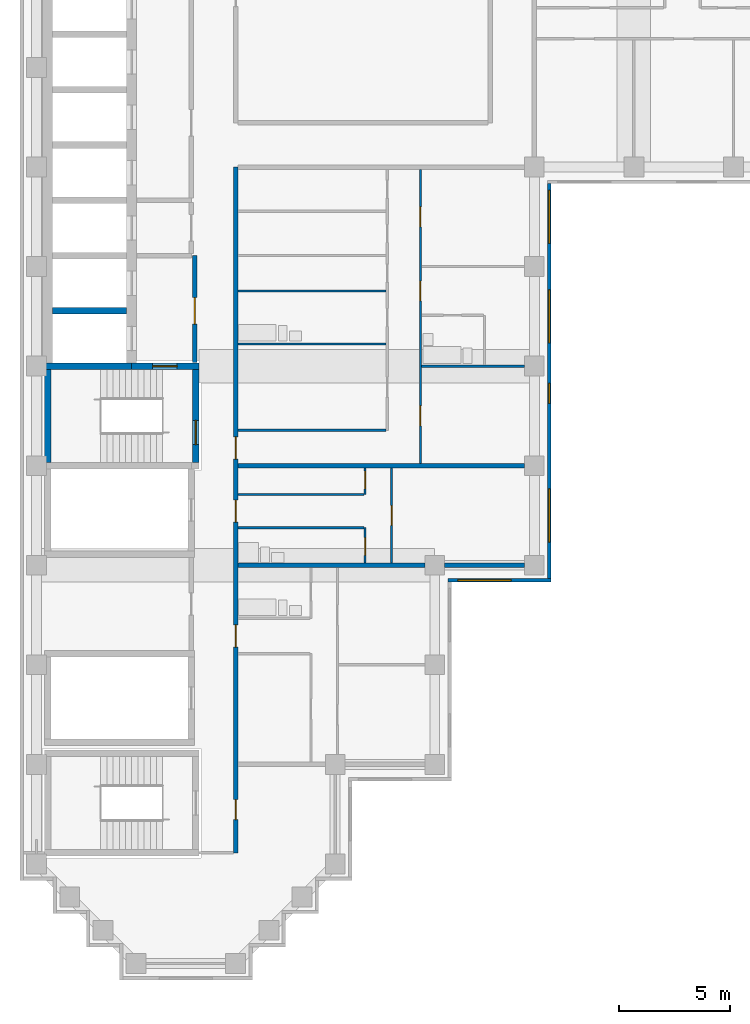
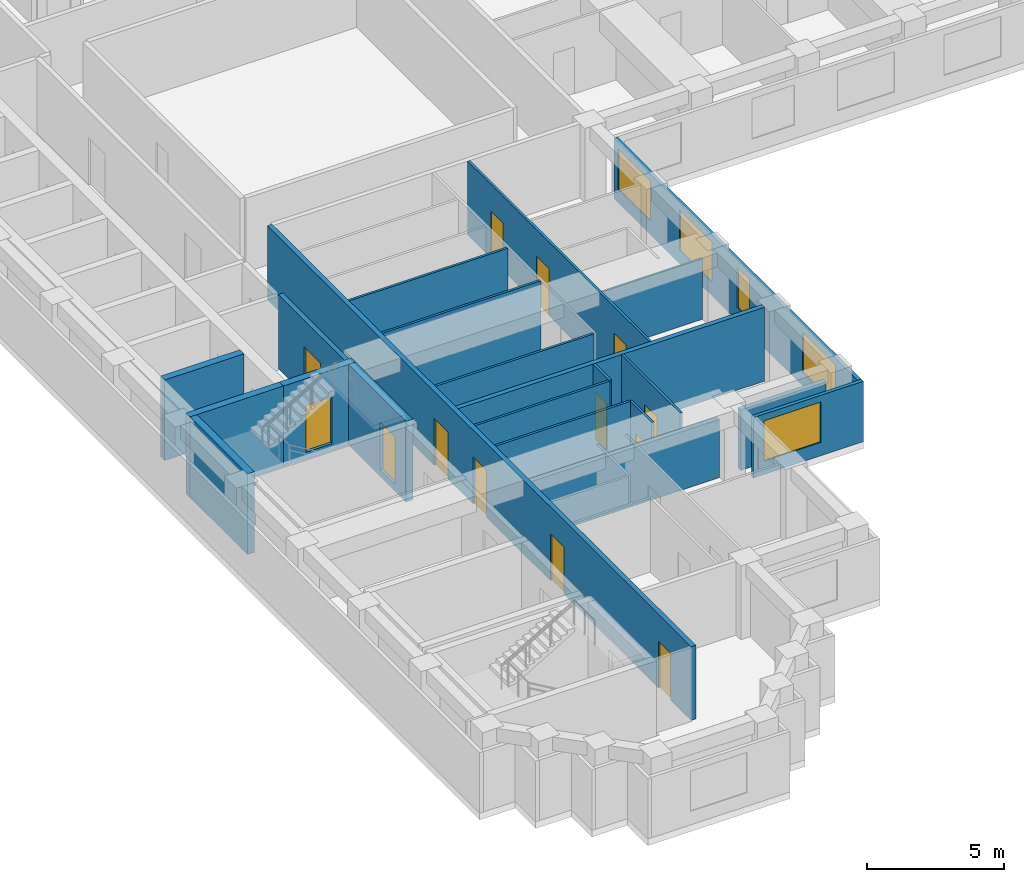
# One storey, part 3 of 10: 22 walls, 13 doors, 5 windows, 18 openings.
"""IFC4 building model written with IfcOpenShell, lengths in metres."""

from ifc_helpers import new_model, si_unit, direction, frame, frame_2d, origin, place, context, subcontext, project, spatial, rectangle, extrude, material, layer, layer_set, type_object, element, fill, save


model = new_model("IFC4")

# Units and contexts
model_context = context("Model", 3, precision=1e-05, world=origin(), true_north=direction((0.0, 1.0)))
body_context = subcontext(model_context, "Body", "Model", "MODEL_VIEW")
ifc_project = project(units=[si_unit("LENGTHUNIT", "METRE"), si_unit("AREAUNIT", "SQUARE_METRE"), si_unit("VOLUMEUNIT", "CUBIC_METRE"), si_unit("PLANEANGLEUNIT", "RADIAN"), si_unit("MASSUNIT", "GRAM", prefix="KILO")], contexts=[model_context])

# Site, building, storey
site_placement = place(None, origin())
site = spatial("IfcSite", under=ifc_project, at=site_placement, CompositionType="ELEMENT")
building_placement = place(site_placement, origin())
building = spatial("IfcBuilding", under=site, at=building_placement, Name="Firuza Court", CompositionType="ELEMENT")
storey_placement = place(building_placement, frame((0.0, 0.0, 193.39990234375)))
storey = spatial("IfcBuildingStorey", under=building, at=storey_placement, Name="L49", CompositionType="ELEMENT", Elevation=193.39990234375)

# Walls
ifc_material_1 = material(Name="Moisture-resistant gypsum board partition")
ifc_layer_1 = layer(ifc_material_1, 0.10009765625)
ifc_layer_set_1 = layer_set([ifc_layer_1], Name="Moisture-resistant gypsum board partition")
wall_type_1 = type_object("IfcWallType", Name="Bathroom partition 100", PredefinedType="PLUMBINGWALL", material=ifc_layer_set_1)
wall_1_placement = place(storey_placement, frame((9.10009765625, 19.699951171875, 0.0), z_axis=(0.0, 0.0, 1.0), x_axis=(1.0, 0.0, 0.0)))
element("IfcWall", 1, at=wall_1_placement, inside=storey, type_object=wall_type_1, Name="Bathroom partition 100 L49", PredefinedType="PLUMBINGWALL", context=body_context, shape_type="SweptSolid", body=[
    extrude(rectangle(XDim=5.699951171875, YDim=0.10009765625, at=frame_2d((2.85009765625, 0.0))), origin(), (0.0, 0.0, 1.0), 3.300048828125),
])
for number, where, z_axis, x_axis, name in (
    (2, (9.10009765625, 28.0, 0.0), (0.0, 0.0, 1.0), (1.0, 0.0, 0.0), "Bathroom partition 100 L49"),
    (3, (9.10009765625, 30.39990234375, 0.0), (0.0, 0.0, 1.0), (1.0, 0.0, 0.0), "Bathroom partition 100 L49"),
):
    element("IfcWall", number, at=place(storey_placement, frame(where, z_axis=z_axis, x_axis=x_axis)), inside=storey, type_object=wall_type_1, Name=name, PredefinedType="PLUMBINGWALL", context=body_context, shape_type="SweptSolid", body=[
        extrude(rectangle(XDim=6.699951171875, YDim=0.10009765625, at=frame_2d((3.35009765625, 0.0))), origin(), (0.0, 0.0, 1.0), 3.300048828125),
    ])
ifc_material_2 = material(Name="Concrete C50/60", Category="concrete")
ifc_layer_2 = layer(ifc_material_2, 0.300048828125)
ifc_layer_set_2 = layer_set([ifc_layer_2], Name="Concrete C50/60")
wall_type_2 = type_object("IfcWallType", Name="Core wall 300 C50/60", PredefinedType="SHEAR", material=ifc_layer_set_2)
wall_2_placement = place(storey_placement, frame((0.35009765625, 27.0, -0.2998046875), z_axis=(0.0, 0.0, 1.0), x_axis=(1.0, 0.0, 0.0)))
element("IfcWall", 4, at=wall_2_placement, inside=storey, type_object=wall_type_2, Name="Core wall lift shaft L49", PredefinedType="SHEAR", context=body_context, shape_type="SweptSolid", body=[
    extrude(rectangle(XDim=3.949951171875, YDim=0.300048828125, at=frame_2d((1.97509765625, 0.0))), origin(), (0.0, 0.0, 1.0), 3.599853515625),
])
wall_3_placement = place(storey_placement, frame((0.5, 22.64990234375, -0.2998046875), z_axis=(0.0, 0.0, 1.0), x_axis=(0.0, 1.0, 0.0)))
element("IfcWall", 5, at=wall_3_placement, inside=storey, type_object=wall_type_2, Name="Core wall stair L49", PredefinedType="SHEAR", context=body_context, shape_type="SweptSolid", body=[
    extrude(rectangle(XDim=4.2001953125, YDim=0.300048828125, at=frame_2d((2.10009765625, 0.0))), origin(), (0.0, 0.0, 1.0), 3.599853515625),
])
wall_4_placement = place(storey_placement, frame((0.72509765625, 29.5, -0.2998046875), z_axis=(0.0, 0.0, 1.0), x_axis=(1.0, 0.0, 0.0)))
element("IfcWall", 6, at=wall_4_placement, inside=storey, type_object=wall_type_2, Name="Core wall lift shaft L49", PredefinedType="SHEAR", context=body_context, shape_type="SweptSolid", body=[
    extrude(rectangle(XDim=3.349853515625, YDim=0.300048828125, at=frame_2d((1.6748046875, 0.0))), origin(), (0.0, 0.0, 1.0), 3.599853515625),
])

# Wall, opening, door
wall_5_placement = place(storey_placement, frame((4.300048828125, 27.0, -0.2998046875), z_axis=(0.0, 0.0, 1.0), x_axis=(1.0, 0.0, 0.0)))
wall_5 = element("IfcWall", 7, at=wall_5_placement, inside=storey, type_object=wall_type_2, Name="Core wall stair L49", PredefinedType="SHEAR", context=body_context, shape_type="SweptSolid", body=[
    extrude(rectangle(XDim=3.050048828125, YDim=0.300048828125, at=frame_2d((1.52490234375, 0.0))), origin(), (0.0, 0.0, 1.0), 3.599853515625),
])
opening_1_placement = place(wall_5_placement, frame((0.949951171875, 0.0, 0.300048828125)))
opening_1 = element("IfcOpeningElement", 8, at=opening_1_placement, cuts=wall_5, Name="Opening D49012", PredefinedType="OPENING", context=body_context, shape_type="SweptSolid", body=[
    extrude(rectangle(XDim=1.10009765625, YDim=2.10009765625, at=frame_2d((0.550048828125, 1.050048828125))), frame((0.0, 0.162109375, 0.0), z_axis=(0.0, -1.0, 0.0), x_axis=(1.0, 0.0, 0.0)), (0.0, 0.0, 1.0), 0.323974609375),
])
ifc_material_3 = material(Name="Timber door leaf in hardwood frame", Category="wood")
door_type_1 = type_object("IfcDoorType", Name="Stair door 1100", OperationType="SINGLE_SWING_LEFT", PredefinedType="DOOR", material=ifc_material_3)
door_1_placement = place(opening_1_placement, frame((1.10009765625, 0.0, 0.0), z_axis=(0.0, 0.0, 1.0), x_axis=(-1.0, 0.0, 0.0)))
door_1 = element("IfcDoor", 9, at=door_1_placement, inside=storey, type_object=door_type_1, Name="Fire-fighting lobby door", OperationType="SINGLE_SWING_LEFT", OverallHeight=2.10009765625, OverallWidth=1.10009765625, PredefinedType="DOOR", context=body_context, shape_type="SweptSolid", body=[
    extrude(rectangle(XDim=1.10009765625, YDim=2.10009765625, at=frame_2d((0.550048828125, 1.050048828125))), frame((0.0, 0.02490234375, 0.0), z_axis=(0.0, -1.0, 0.0), x_axis=(1.0, 0.0, 0.0)), (0.0, 0.0, 1.0), 0.050048828125),
])
fill(opening_1, door_1)

wall_6_placement = place(storey_placement, frame((7.199951171875, 22.64990234375, -0.2998046875), z_axis=(0.0, 0.0, 1.0), x_axis=(0.0, 1.0, 0.0)))
wall_6 = element("IfcWall", 10, at=wall_6_placement, inside=storey, type_object=wall_type_2, Name="Core wall stair L49", PredefinedType="SHEAR", context=body_context, shape_type="SweptSolid", body=[
    extrude(rectangle(XDim=4.2001953125, YDim=0.300048828125, at=frame_2d((2.10009765625, 0.0))), origin(), (0.0, 0.0, 1.0), 3.599853515625),
])
opening_2_placement = place(wall_6_placement, frame((0.800048828125, 0.0, 0.300048828125)))
opening_2 = element("IfcOpeningElement", 11, at=opening_2_placement, cuts=wall_6, Name="Opening D49013", PredefinedType="OPENING", context=body_context, shape_type="SweptSolid", body=[
    extrude(rectangle(XDim=1.10009765625, YDim=2.10009765625, at=frame_2d((0.550048828125, 1.050048828125))), frame((0.0, 0.162109375, 0.0), z_axis=(0.0, -1.0, 0.0), x_axis=(1.0, 0.0, 0.0)), (0.0, 0.0, 1.0), 0.323974609375),
])
door_2_placement = place(opening_2_placement, origin())
door_2 = element("IfcDoor", 12, at=door_2_placement, inside=storey, type_object=door_type_1, Name="Stair door S2", OperationType="SINGLE_SWING_LEFT", OverallHeight=2.10009765625, OverallWidth=1.10009765625, PredefinedType="DOOR", context=body_context, shape_type="SweptSolid", body=[
    extrude(rectangle(XDim=1.10009765625, YDim=2.10009765625, at=frame_2d((0.550048828125, 1.050048828125))), frame((0.0, 0.02490234375, 0.0), z_axis=(0.0, -1.0, 0.0), x_axis=(1.0, 0.0, 0.0)), (0.0, 0.0, 1.0), 0.050048828125),
])
fill(opening_2, door_2)

# Wall, openings, doors
ifc_material_4 = material(Name="Blockwork, plastered both sides", Category="masonry")
ifc_layer_3 = layer(ifc_material_4, 0.199951171875)
ifc_layer_set_3 = layer_set([ifc_layer_3], Name="Blockwork, plastered both sides")
wall_type_3 = type_object("IfcWallType", Name="Corridor wall 200", PredefinedType="PARTITIONING", material=ifc_layer_set_3)
wall_7_placement = place(storey_placement, frame((9.0, 5.0, 0.0), z_axis=(0.0, 0.0, 1.0), x_axis=(0.0, 1.0, 0.0)))
wall_7 = element("IfcWall", 13, at=wall_7_placement, inside=storey, type_object=wall_type_3, Name="Corridor wall 200 L49", PredefinedType="PARTITIONING", context=body_context, shape_type="SweptSolid", body=[
    extrude(rectangle(XDim=31.0, YDim=0.199951171875, at=frame_2d((15.5, 0.0))), origin(), (0.0, 0.0, 1.0), 3.300048828125),
])
opening_3_placement = place(wall_7_placement, frame((17.800048828125, 0.0, 0.0)))
opening_3 = element("IfcOpeningElement", 14, at=opening_3_placement, cuts=wall_7, Name="Opening D49016", PredefinedType="OPENING", context=body_context, shape_type="SweptSolid", body=[
    extrude(rectangle(XDim=1.0, YDim=2.10009765625, at=frame_2d((0.5, 1.050048828125))), frame((0.0, 0.11181640625, 0.0), z_axis=(0.0, -1.0, 0.0), x_axis=(1.0, 0.0, 0.0)), (0.0, 0.0, 1.0), 0.223876953125),
])
opening_4_placement = place(wall_7_placement, frame((14.949951171875, 0.0, 0.0)))
opening_4 = element("IfcOpeningElement", 15, at=opening_4_placement, cuts=wall_7, Name="Opening D49017", PredefinedType="OPENING", context=body_context, shape_type="SweptSolid", body=[
    extrude(rectangle(XDim=1.0, YDim=2.10009765625, at=frame_2d((0.5, 1.050048828125))), frame((0.0, 0.11181640625, 0.0), z_axis=(0.0, -1.0, 0.0), x_axis=(1.0, 0.0, 0.0)), (0.0, 0.0, 1.0), 0.223876953125),
])
opening_5_placement = place(wall_7_placement, frame((9.300048828125, 0.0, 0.0)))
opening_5 = element("IfcOpeningElement", 16, at=opening_5_placement, cuts=wall_7, Name="Opening D49018", PredefinedType="OPENING", context=body_context, shape_type="SweptSolid", body=[
    extrude(rectangle(XDim=1.0, YDim=2.10009765625, at=frame_2d((0.5, 1.050048828125))), frame((0.0, 0.11181640625, 0.0), z_axis=(0.0, -1.0, 0.0), x_axis=(1.0, 0.0, 0.0)), (0.0, 0.0, 1.0), 0.223876953125),
])
opening_6_placement = place(wall_7_placement, frame((1.5, 0.0, 0.0)))
opening_6 = element("IfcOpeningElement", 17, at=opening_6_placement, cuts=wall_7, Name="Opening D49019", PredefinedType="OPENING", context=body_context, shape_type="SweptSolid", body=[
    extrude(rectangle(XDim=0.89990234375, YDim=2.10009765625, at=frame_2d((0.449951171875, 1.050048828125))), frame((0.0, 0.11181640625, 0.0), z_axis=(0.0, -1.0, 0.0), x_axis=(1.0, 0.0, 0.0)), (0.0, 0.0, 1.0), 0.223876953125),
])
ifc_material_5 = material(Name="Timber door leaf in hardwood frame", Category="wood")
door_type_2 = type_object("IfcDoorType", Name="Flat entrance door 1000", OperationType="SINGLE_SWING_LEFT", PredefinedType="DOOR", material=ifc_material_5)
door_3_placement = place(opening_3_placement, origin())
door_3 = element("IfcDoor", 18, at=door_3_placement, inside=storey, type_object=door_type_2, Name="Flat entrance door", OperationType="SINGLE_SWING_LEFT", OverallHeight=2.10009765625, OverallWidth=1.0, PredefinedType="DOOR", context=body_context, shape_type="SweptSolid", body=[
    extrude(rectangle(XDim=1.0, YDim=2.10009765625, at=frame_2d((0.5, 1.050048828125))), frame((0.0, 0.02490234375, 0.0), z_axis=(0.0, -1.0, 0.0), x_axis=(1.0, 0.0, 0.0)), (0.0, 0.0, 1.0), 0.050048828125),
])
fill(opening_3, door_3)
door_4_placement = place(opening_4_placement, origin())
door_4 = element("IfcDoor", 19, at=door_4_placement, inside=storey, type_object=door_type_2, Name="Flat entrance door", OperationType="SINGLE_SWING_LEFT", OverallHeight=2.10009765625, OverallWidth=1.0, PredefinedType="DOOR", context=body_context, shape_type="SweptSolid", body=[
    extrude(rectangle(XDim=1.0, YDim=2.10009765625, at=frame_2d((0.5, 1.050048828125))), frame((0.0, 0.02490234375, 0.0), z_axis=(0.0, -1.0, 0.0), x_axis=(1.0, 0.0, 0.0)), (0.0, 0.0, 1.0), 0.050048828125),
])
fill(opening_4, door_4)
door_5_placement = place(opening_5_placement, origin())
door_5 = element("IfcDoor", 20, at=door_5_placement, inside=storey, type_object=door_type_2, Name="Flat entrance door", OperationType="SINGLE_SWING_LEFT", OverallHeight=2.10009765625, OverallWidth=1.0, PredefinedType="DOOR", context=body_context, shape_type="SweptSolid", body=[
    extrude(rectangle(XDim=1.0, YDim=2.10009765625, at=frame_2d((0.5, 1.050048828125))), frame((0.0, 0.02490234375, 0.0), z_axis=(0.0, -1.0, 0.0), x_axis=(1.0, 0.0, 0.0)), (0.0, 0.0, 1.0), 0.050048828125),
])
fill(opening_5, door_5)
ifc_material_6 = material(Name="Timber door leaf in hardwood frame", Category="wood")
door_type_3 = type_object("IfcDoorType", Name="Room door 900 EI 30", OperationType="SINGLE_SWING_LEFT", PredefinedType="DOOR", material=ifc_material_6)
door_6_placement = place(opening_6_placement, frame((0.89990234375, 0.0, 0.0), z_axis=(0.0, 0.0, 1.0), x_axis=(-1.0, 0.0, 0.0)))
door_6 = element("IfcDoor", 21, at=door_6_placement, inside=storey, type_object=door_type_3, Name="Library door", OperationType="SINGLE_SWING_LEFT", OverallHeight=2.10009765625, OverallWidth=0.89990234375, PredefinedType="DOOR", context=body_context, shape_type="SweptSolid", body=[
    extrude(rectangle(XDim=0.89990234375, YDim=2.10009765625, at=frame_2d((0.449951171875, 1.050048828125))), frame((0.0, 0.02490234375, 0.0), z_axis=(0.0, -1.0, 0.0), x_axis=(1.0, 0.0, 0.0)), (0.0, 0.0, 1.0), 0.050048828125),
])
fill(opening_6, door_6)

# Wall, opening, door
ifc_material_7 = material(Name="Timber stud partition, plasterboard both sides", Category="wood")
ifc_layer_4 = layer(ifc_material_7, 0.10009765625)
ifc_layer_set_4 = layer_set([ifc_layer_4], Name="Timber stud partition, plasterboard both sides")
wall_type_4 = type_object("IfcWallType", Name="Partition wall 100", PredefinedType="PARTITIONING", material=ifc_layer_set_4)
wall_8_placement = place(storey_placement, frame((14.85009765625, 18.10009765625, 0.0), z_axis=(0.0, 0.0, 1.0), x_axis=(0.0, 1.0, 0.0)))
wall_8 = element("IfcWall", 22, at=wall_8_placement, inside=storey, type_object=wall_type_4, Name="Partition wall 100 L49", PredefinedType="PARTITIONING", context=body_context, shape_type="SweptSolid", body=[
    extrude(rectangle(XDim=1.599853515625, YDim=0.10009765625, at=frame_2d((0.7998046875, 0.0))), origin(), (0.0, 0.0, 1.0), 3.300048828125),
])
opening_7_placement = place(wall_8_placement, frame((0.35009765625, 0.0, 0.0)))
opening_7 = element("IfcOpeningElement", 23, at=opening_7_placement, cuts=wall_8, Name="Opening D49025", PredefinedType="OPENING", context=body_context, shape_type="SweptSolid", body=[
    extrude(rectangle(XDim=0.800048828125, YDim=2.10009765625, at=frame_2d((0.39990234375, 1.050048828125))), frame((0.0, 0.06201171875, 0.0), z_axis=(0.0, -1.0, 0.0), x_axis=(1.0, 0.0, 0.0)), (0.0, 0.0, 1.0), 0.1240234375),
])
ifc_material_8 = material(Name="Timber door leaf in hardwood frame", Category="wood")
door_type_4 = type_object("IfcDoorType", Name="Bathroom door 800", OperationType="SINGLE_SWING_LEFT", PredefinedType="DOOR", material=ifc_material_8)
door_7_placement = place(opening_7_placement, origin())
door_7 = element("IfcDoor", 24, at=door_7_placement, inside=storey, type_object=door_type_4, Name="Bathroom door", OperationType="SINGLE_SWING_LEFT", OverallHeight=2.10009765625, OverallWidth=0.800048828125, PredefinedType="DOOR", context=body_context, shape_type="SweptSolid", body=[
    extrude(rectangle(XDim=0.800048828125, YDim=2.10009765625, at=frame_2d((0.39990234375, 1.050048828125))), frame((0.0, 0.02490234375, 0.0), z_axis=(0.0, -1.0, 0.0), x_axis=(1.0, 0.0, 0.0)), (0.0, 0.0, 1.0), 0.050048828125),
])
fill(opening_7, door_7)

wall_9_placement = place(storey_placement, frame((16.050048828125, 18.10009765625, 0.0), z_axis=(0.0, 0.0, 1.0), x_axis=(0.0, 1.0, 0.0)))
wall_9 = element("IfcWall", 25, at=wall_9_placement, inside=storey, type_object=wall_type_4, Name="Partition wall 100 L49", PredefinedType="PARTITIONING", context=body_context, shape_type="SweptSolid", body=[
    extrude(rectangle(XDim=4.2998046875, YDim=0.10009765625, at=frame_2d((2.14990234375, 0.0))), origin(), (0.0, 0.0, 1.0), 3.300048828125),
])
opening_8_placement = place(wall_9_placement, frame((1.699951171875, 0.0, 0.0)))
opening_8 = element("IfcOpeningElement", 26, at=opening_8_placement, cuts=wall_9, Name="Opening D49026", PredefinedType="OPENING", context=body_context, shape_type="SweptSolid", body=[
    extrude(rectangle(XDim=0.89990234375, YDim=2.10009765625, at=frame_2d((0.449951171875, 1.050048828125))), frame((0.0, 0.06201171875, 0.0), z_axis=(0.0, -1.0, 0.0), x_axis=(1.0, 0.0, 0.0)), (0.0, 0.0, 1.0), 0.1240234375),
])
ifc_material_9 = material(Name="Timber door leaf in hardwood frame", Category="wood")
door_type_5 = type_object("IfcDoorType", Name="Room door 900", OperationType="SINGLE_SWING_LEFT", PredefinedType="DOOR", material=ifc_material_9)
door_8_placement = place(opening_8_placement, frame((0.89990234375, 0.0, 0.0), z_axis=(0.0, 0.0, 1.0), x_axis=(-1.0, 0.0, 0.0)))
door_8 = element("IfcDoor", 27, at=door_8_placement, inside=storey, type_object=door_type_5, Name="Studio room door", OperationType="SINGLE_SWING_RIGHT", OverallHeight=2.10009765625, OverallWidth=0.89990234375, PredefinedType="DOOR", context=body_context, shape_type="SweptSolid", body=[
    extrude(rectangle(XDim=0.89990234375, YDim=2.10009765625, at=frame_2d((0.449951171875, 1.050048828125))), frame((0.0, 0.02490234375, 0.0), z_axis=(0.0, -1.0, 0.0), x_axis=(1.0, 0.0, 0.0)), (0.0, 0.0, 1.0), 0.050048828125),
])
fill(opening_8, door_8)

# Wall
wall_10_placement = place(storey_placement, frame((9.10009765625, 21.199951171875, 0.0), z_axis=(0.0, 0.0, 1.0), x_axis=(1.0, 0.0, 0.0)))
element("IfcWall", 28, at=wall_10_placement, inside=storey, type_object=wall_type_4, Name="Partition wall 100 L49", PredefinedType="PARTITIONING", context=body_context, shape_type="SweptSolid", body=[
    extrude(rectangle(XDim=5.699951171875, YDim=0.10009765625, at=frame_2d((2.85009765625, 0.0))), origin(), (0.0, 0.0, 1.0), 3.300048828125),
])

# Wall, opening, door
wall_11_placement = place(storey_placement, frame((14.85009765625, 21.199951171875, 0.0), z_axis=(0.0, 0.0, 1.0), x_axis=(0.0, 1.0, 0.0)))
wall_11 = element("IfcWall", 29, at=wall_11_placement, inside=storey, type_object=wall_type_4, Name="Partition wall 100 L49", PredefinedType="PARTITIONING", context=body_context, shape_type="SweptSolid", body=[
    extrude(rectangle(XDim=1.199951171875, YDim=0.10009765625, at=frame_2d((0.60009765625, 0.0))), origin(), (0.0, 0.0, 1.0), 3.300048828125),
])
opening_9_placement = place(wall_11_placement, frame((0.25, 0.0, 0.0)))
opening_9 = element("IfcOpeningElement", 30, at=opening_9_placement, cuts=wall_11, Name="Opening D49027", PredefinedType="OPENING", context=body_context, shape_type="SweptSolid", body=[
    extrude(rectangle(XDim=0.800048828125, YDim=2.10009765625, at=frame_2d((0.39990234375, 1.050048828125))), frame((0.0, 0.06201171875, 0.0), z_axis=(0.0, -1.0, 0.0), x_axis=(1.0, 0.0, 0.0)), (0.0, 0.0, 1.0), 0.1240234375),
])
ifc_material_10 = material(Name="Timber door leaf in hardwood frame", Category="wood")
door_type_6 = type_object("IfcDoorType", Name="Room door 800", OperationType="SINGLE_SWING_LEFT", PredefinedType="DOOR", material=ifc_material_10)
door_9_placement = place(opening_9_placement, origin())
door_9 = element("IfcDoor", 31, at=door_9_placement, inside=storey, type_object=door_type_6, Name="Kitchen door", OperationType="SINGLE_SWING_LEFT", OverallHeight=2.10009765625, OverallWidth=0.800048828125, PredefinedType="DOOR", context=body_context, shape_type="SweptSolid", body=[
    extrude(rectangle(XDim=0.800048828125, YDim=2.10009765625, at=frame_2d((0.39990234375, 1.050048828125))), frame((0.0, 0.02490234375, 0.0), z_axis=(0.0, -1.0, 0.0), x_axis=(1.0, 0.0, 0.0)), (0.0, 0.0, 1.0), 0.050048828125),
])
fill(opening_9, door_9)

# Wall, openings, doors
wall_12_placement = place(storey_placement, frame((17.35009765625, 22.60009765625, 0.0), z_axis=(0.0, 0.0, 1.0), x_axis=(0.0, 1.0, 0.0)))
wall_12 = element("IfcWall", 32, at=wall_12_placement, inside=storey, type_object=wall_type_4, Name="Partition wall 100 L49", PredefinedType="PARTITIONING", context=body_context, shape_type="SweptSolid", body=[
    extrude(rectangle(XDim=13.2998046875, YDim=0.10009765625, at=frame_2d((6.64990234375, 0.0))), origin(), (0.0, 0.0, 1.0), 3.300048828125),
])
opening_10_placement = place(wall_12_placement, frame((1.699951171875, 0.0, 0.0)))
opening_10 = element("IfcOpeningElement", 33, at=opening_10_placement, cuts=wall_12, Name="Opening D49028", PredefinedType="OPENING", context=body_context, shape_type="SweptSolid", body=[
    extrude(rectangle(XDim=0.89990234375, YDim=2.10009765625, at=frame_2d((0.449951171875, 1.050048828125))), frame((0.0, 0.06201171875, 0.0), z_axis=(0.0, -1.0, 0.0), x_axis=(1.0, 0.0, 0.0)), (0.0, 0.0, 1.0), 0.1240234375),
])
opening_11_placement = place(wall_12_placement, frame((7.35009765625, 0.0, 0.0)))
opening_11 = element("IfcOpeningElement", 34, at=opening_11_placement, cuts=wall_12, Name="Opening D49029", PredefinedType="OPENING", context=body_context, shape_type="SweptSolid", body=[
    extrude(rectangle(XDim=0.89990234375, YDim=2.10009765625, at=frame_2d((0.449951171875, 1.050048828125))), frame((0.0, 0.06201171875, 0.0), z_axis=(0.0, -1.0, 0.0), x_axis=(1.0, 0.0, 0.0)), (0.0, 0.0, 1.0), 0.1240234375),
])
opening_12_placement = place(wall_12_placement, frame((10.699951171875, 0.0, 0.0)))
opening_12 = element("IfcOpeningElement", 35, at=opening_12_placement, cuts=wall_12, Name="Opening D49030", PredefinedType="OPENING", context=body_context, shape_type="SweptSolid", body=[
    extrude(rectangle(XDim=0.89990234375, YDim=2.10009765625, at=frame_2d((0.449951171875, 1.050048828125))), frame((0.0, 0.06201171875, 0.0), z_axis=(0.0, -1.0, 0.0), x_axis=(1.0, 0.0, 0.0)), (0.0, 0.0, 1.0), 0.1240234375),
])
door_10_placement = place(opening_10_placement, frame((0.89990234375, 0.0, 0.0), z_axis=(0.0, 0.0, 1.0), x_axis=(-1.0, 0.0, 0.0)))
door_10 = element("IfcDoor", 36, at=door_10_placement, inside=storey, type_object=door_type_5, Name="Living room door", OperationType="SINGLE_SWING_RIGHT", OverallHeight=2.10009765625, OverallWidth=0.89990234375, PredefinedType="DOOR", context=body_context, shape_type="SweptSolid", body=[
    extrude(rectangle(XDim=0.89990234375, YDim=2.10009765625, at=frame_2d((0.449951171875, 1.050048828125))), frame((0.0, 0.02490234375, 0.0), z_axis=(0.0, -1.0, 0.0), x_axis=(1.0, 0.0, 0.0)), (0.0, 0.0, 1.0), 0.050048828125),
])
fill(opening_10, door_10)
door_11_placement = place(opening_11_placement, frame((0.89990234375, 0.0, 0.0), z_axis=(0.0, 0.0, 1.0), x_axis=(-1.0, 0.0, 0.0)))
door_11 = element("IfcDoor", 37, at=door_11_placement, inside=storey, type_object=door_type_5, Name="Bedroom door", OperationType="SINGLE_SWING_RIGHT", OverallHeight=2.10009765625, OverallWidth=0.89990234375, PredefinedType="DOOR", context=body_context, shape_type="SweptSolid", body=[
    extrude(rectangle(XDim=0.89990234375, YDim=2.10009765625, at=frame_2d((0.449951171875, 1.050048828125))), frame((0.0, 0.02490234375, 0.0), z_axis=(0.0, -1.0, 0.0), x_axis=(1.0, 0.0, 0.0)), (0.0, 0.0, 1.0), 0.050048828125),
])
fill(opening_11, door_11)
door_12_placement = place(opening_12_placement, frame((0.89990234375, 0.0, 0.0), z_axis=(0.0, 0.0, 1.0), x_axis=(-1.0, 0.0, 0.0)))
door_12 = element("IfcDoor", 38, at=door_12_placement, inside=storey, type_object=door_type_5, Name="Bedroom door", OperationType="SINGLE_SWING_RIGHT", OverallHeight=2.10009765625, OverallWidth=0.89990234375, PredefinedType="DOOR", context=body_context, shape_type="SweptSolid", body=[
    extrude(rectangle(XDim=0.89990234375, YDim=2.10009765625, at=frame_2d((0.449951171875, 1.050048828125))), frame((0.0, 0.02490234375, 0.0), z_axis=(0.0, -1.0, 0.0), x_axis=(1.0, 0.0, 0.0)), (0.0, 0.0, 1.0), 0.050048828125),
])
fill(opening_12, door_12)

# Walls
wall_13_placement = place(storey_placement, frame((9.10009765625, 24.10009765625, 0.0), z_axis=(0.0, 0.0, 1.0), x_axis=(1.0, 0.0, 0.0)))
element("IfcWall", 39, at=wall_13_placement, inside=storey, type_object=wall_type_4, Name="Partition wall 100 L49", PredefinedType="PARTITIONING", context=body_context, shape_type="SweptSolid", body=[
    extrude(rectangle(XDim=6.699951171875, YDim=0.10009765625, at=frame_2d((3.35009765625, 0.0))), origin(), (0.0, 0.0, 1.0), 3.300048828125),
])
wall_14_placement = place(storey_placement, frame((17.39990234375, 27.0, 0.0), z_axis=(0.0, 0.0, 1.0), x_axis=(1.0, 0.0, 0.0)))
element("IfcWall", 40, at=wall_14_placement, inside=storey, type_object=wall_type_4, Name="Partition wall 100 L49", PredefinedType="PARTITIONING", context=body_context, shape_type="SweptSolid", body=[
    extrude(rectangle(XDim=4.650146484375, YDim=0.10009765625, at=frame_2d((2.3251953125, 0.0))), origin(), (0.0, 0.0, 1.0), 2.7001953125),
])
ifc_layer_5 = layer(ifc_material_4, 0.199951171875)
ifc_layer_set_5 = layer_set([ifc_layer_5], Name="Blockwork, plastered both sides")
wall_type_5 = type_object("IfcWallType", Name="Party wall 200", PredefinedType="PARTITIONING", material=ifc_layer_set_5)
wall_15_placement = place(storey_placement, frame((9.10009765625, 18.0, 0.0), z_axis=(0.0, 0.0, 1.0), x_axis=(1.0, 0.0, 0.0)))
element("IfcWall", 41, at=wall_15_placement, inside=storey, type_object=wall_type_5, Name="Party wall 200 L49", PredefinedType="PARTITIONING", context=body_context, shape_type="SweptSolid", body=[
    extrude(rectangle(XDim=8.449951171875, YDim=0.199951171875, at=frame_2d((4.22509765625, 0.0))), origin(), (0.0, 0.0, 1.0), 2.60009765625),
])
wall_16_placement = place(storey_placement, frame((18.449951171875, 18.0, 0.0), z_axis=(0.0, 0.0, 1.0), x_axis=(1.0, 0.0, 0.0)))
element("IfcWall", 42, at=wall_16_placement, inside=storey, type_object=wall_type_5, Name="Party wall 200 L49", PredefinedType="PARTITIONING", context=body_context, shape_type="SweptSolid", body=[
    extrude(rectangle(XDim=3.60009765625, YDim=0.199951171875, at=frame_2d((1.800048828125, 0.0))), origin(), (0.0, 0.0, 1.0), 2.7001953125),
])
wall_17_placement = place(storey_placement, frame((9.10009765625, 22.5, 0.0), z_axis=(0.0, 0.0, 1.0), x_axis=(1.0, 0.0, 0.0)))
element("IfcWall", 43, at=wall_17_placement, inside=storey, type_object=wall_type_5, Name="Party wall 200 L49", PredefinedType="PARTITIONING", context=body_context, shape_type="SweptSolid", body=[
    extrude(rectangle(XDim=12.949951171875, YDim=0.199951171875, at=frame_2d((6.47509765625, 0.0))), origin(), (0.0, 0.0, 1.0), 3.300048828125),
])

# Wall, opening, window
ifc_material_11 = material(Name="Ceramic tile", Category="ceramic")
ifc_layer_6 = layer(ifc_material_11, 0.02001953125)
ifc_material_12 = material(Name="Mineral wool insulation", Category="insulation")
ifc_layer_7 = layer(ifc_material_12, 0.050048828125)
ifc_material_13 = material(Name="Concrete C40/50 precast", Category="concrete")
ifc_layer_8 = layer(ifc_material_13, 0.080078125)
ifc_layer_set_6 = layer_set([ifc_layer_6, ifc_layer_7, ifc_layer_8], Name="Concrete C40/50 precast")
wall_type_6 = type_object("IfcWallType", Name="Precast cladding wall with turquoise TILE PANEL face 150", PredefinedType="STANDARD", material=ifc_layer_set_6)
wall_18_placement = place(storey_placement, frame((18.60009765625, 17.324951171875, 0.0), z_axis=(0.0, 0.0, 1.0), x_axis=(1.0, 0.0, 0.0)))
wall_18 = element("IfcWall", 44, at=wall_18_placement, inside=storey, type_object=wall_type_6, Name="Facade wall L49 S", PredefinedType="STANDARD", context=body_context, shape_type="SweptSolid", body=[
    extrude(rectangle(XDim=4.64990234375, YDim=0.14990234375, at=frame_2d((2.324951171875, 0.0))), origin(), (0.0, 0.0, 1.0), 2.7001953125),
])
opening_13_placement = place(wall_18_placement, frame((0.449951171875, 0.0, 0.60009765625)))
opening_13 = element("IfcOpeningElement", 45, at=opening_13_placement, cuts=wall_18, Name="Opening W1", PredefinedType="OPENING", context=body_context, shape_type="SweptSolid", body=[
    extrude(rectangle(XDim=2.39990234375, YDim=1.800048828125, at=frame_2d((1.199951171875, 0.89990234375))), frame((0.0, 0.0869140625, 0.0), z_axis=(0.0, -1.0, 0.0), x_axis=(1.0, 0.0, 0.0)), (0.0, 0.0, 1.0), 0.173828125),
])
ifc_material_14 = material(Name="Aluminium frame, triple clear glazing", Category="aluminium")
window_type_1 = type_object("IfcWindowType", Name="Window W1 2400 x 1800", PartitioningType="SINGLE_PANEL", PredefinedType="WINDOW", material=ifc_material_14)
window_1_placement = place(opening_13_placement, origin())
window_1 = element("IfcWindow", 46, at=window_1_placement, inside=storey, type_object=window_type_1, Name="Window L49", OverallHeight=1.800048828125, OverallWidth=2.39990234375, PartitioningType="SINGLE_PANEL", PredefinedType="WINDOW", context=body_context, shape_type="SweptSolid", body=[
    extrude(rectangle(XDim=2.39990234375, YDim=1.800048828125, at=frame_2d((1.199951171875, 0.89990234375))), frame((0.0, 0.030029296875, 0.0), z_axis=(0.0, -1.0, 0.0), x_axis=(1.0, 0.0, 0.0)), (0.0, 0.0, 1.0), 0.06005859375),
])
fill(opening_13, window_1)

# Wall, openings, windows
wall_19_placement = place(storey_placement, frame((23.175048828125, 17.39990234375, 0.0), z_axis=(0.0, 0.0, 1.0), x_axis=(0.0, 1.0, 0.0)))
wall_19 = element("IfcWall", 47, at=wall_19_placement, inside=storey, type_object=wall_type_6, Name="Facade wall L49 E", PredefinedType="STANDARD", context=body_context, shape_type="SweptSolid", body=[
    extrude(rectangle(XDim=17.85009765625, YDim=0.14990234375, at=frame_2d((8.925048828125, 0.0))), origin(), (0.0, 0.0, 1.0), 2.7001953125),
])
opening_14_placement = place(wall_19_placement, frame((1.64990234375, 0.0, 0.60009765625)))
opening_14 = element("IfcOpeningElement", 48, at=opening_14_placement, cuts=wall_19, Name="Opening W1", PredefinedType="OPENING", context=body_context, shape_type="SweptSolid", body=[
    extrude(rectangle(XDim=2.39990234375, YDim=1.800048828125, at=frame_2d((1.199951171875, 0.89990234375))), frame((0.0, 0.0869140625, 0.0), z_axis=(0.0, -1.0, 0.0), x_axis=(1.0, 0.0, 0.0)), (0.0, 0.0, 1.0), 0.173828125),
])
opening_15_placement = place(wall_19_placement, frame((7.921630859375, 0.0, 0.60009765625)))
opening_15 = element("IfcOpeningElement", 49, at=opening_15_placement, cuts=wall_19, Name="Opening W3", PredefinedType="OPENING", context=body_context, shape_type="SweptSolid", body=[
    extrude(rectangle(XDim=0.89990234375, YDim=1.800048828125, at=frame_2d((0.449951171875, 0.89990234375))), frame((0.0, 0.0869140625, 0.0), z_axis=(0.0, -1.0, 0.0), x_axis=(1.0, 0.0, 0.0)), (0.0, 0.0, 1.0), 0.173828125),
])
opening_16_placement = place(wall_19_placement, frame((10.64990234375, 0.0, 0.60009765625)))
opening_16 = element("IfcOpeningElement", 50, at=opening_16_placement, cuts=wall_19, Name="Opening W1", PredefinedType="OPENING", context=body_context, shape_type="SweptSolid", body=[
    extrude(rectangle(XDim=2.39990234375, YDim=1.800048828125, at=frame_2d((1.199951171875, 0.89990234375))), frame((0.0, 0.0869140625, 0.0), z_axis=(0.0, -1.0, 0.0), x_axis=(1.0, 0.0, 0.0)), (0.0, 0.0, 1.0), 0.173828125),
])
opening_17_placement = place(wall_19_placement, frame((15.14990234375, 0.0, 0.60009765625)))
opening_17 = element("IfcOpeningElement", 51, at=opening_17_placement, cuts=wall_19, Name="Opening W1", PredefinedType="OPENING", context=body_context, shape_type="SweptSolid", body=[
    extrude(rectangle(XDim=2.39990234375, YDim=1.800048828125, at=frame_2d((1.199951171875, 0.89990234375))), frame((0.0, 0.0869140625, 0.0), z_axis=(0.0, -1.0, 0.0), x_axis=(1.0, 0.0, 0.0)), (0.0, 0.0, 1.0), 0.173828125),
])
window_2_placement = place(opening_14_placement, origin())
window_2 = element("IfcWindow", 52, at=window_2_placement, inside=storey, type_object=window_type_1, Name="Window L49", OverallHeight=1.800048828125, OverallWidth=2.39990234375, PartitioningType="SINGLE_PANEL", PredefinedType="WINDOW", context=body_context, shape_type="SweptSolid", body=[
    extrude(rectangle(XDim=2.39990234375, YDim=1.800048828125, at=frame_2d((1.199951171875, 0.89990234375))), frame((0.0, 0.030029296875, 0.0), z_axis=(0.0, -1.0, 0.0), x_axis=(1.0, 0.0, 0.0)), (0.0, 0.0, 1.0), 0.06005859375),
])
fill(opening_14, window_2)
window_3_placement = place(opening_16_placement, origin())
window_3 = element("IfcWindow", 53, at=window_3_placement, inside=storey, type_object=window_type_1, Name="Window L49", OverallHeight=1.800048828125, OverallWidth=2.39990234375, PartitioningType="SINGLE_PANEL", PredefinedType="WINDOW", context=body_context, shape_type="SweptSolid", body=[
    extrude(rectangle(XDim=2.39990234375, YDim=1.800048828125, at=frame_2d((1.199951171875, 0.89990234375))), frame((0.0, 0.030029296875, 0.0), z_axis=(0.0, -1.0, 0.0), x_axis=(1.0, 0.0, 0.0)), (0.0, 0.0, 1.0), 0.06005859375),
])
fill(opening_16, window_3)
window_4_placement = place(opening_17_placement, origin())
window_4 = element("IfcWindow", 54, at=window_4_placement, inside=storey, type_object=window_type_1, Name="Window L49", OverallHeight=1.800048828125, OverallWidth=2.39990234375, PartitioningType="SINGLE_PANEL", PredefinedType="WINDOW", context=body_context, shape_type="SweptSolid", body=[
    extrude(rectangle(XDim=2.39990234375, YDim=1.800048828125, at=frame_2d((1.199951171875, 0.89990234375))), frame((0.0, 0.030029296875, 0.0), z_axis=(0.0, -1.0, 0.0), x_axis=(1.0, 0.0, 0.0)), (0.0, 0.0, 1.0), 0.06005859375),
])
fill(opening_17, window_4)
ifc_material_15 = material(Name="Aluminium frame, triple clear glazing", Category="aluminium")
window_type_2 = type_object("IfcWindowType", Name="Window W3 900 x 1800", PartitioningType="SINGLE_PANEL", PredefinedType="WINDOW", material=ifc_material_15)
window_5_placement = place(opening_15_placement, origin())
window_5 = element("IfcWindow", 55, at=window_5_placement, inside=storey, type_object=window_type_2, Name="Window L49", OverallHeight=1.800048828125, OverallWidth=0.89990234375, PartitioningType="SINGLE_PANEL", PredefinedType="WINDOW", context=body_context, shape_type="SweptSolid", body=[
    extrude(rectangle(XDim=0.89990234375, YDim=1.800048828125, at=frame_2d((0.449951171875, 0.89990234375))), frame((0.0, 0.030029296875, 0.0), z_axis=(0.0, -1.0, 0.0), x_axis=(1.0, 0.0, 0.0)), (0.0, 0.0, 1.0), 0.06005859375),
])
fill(opening_15, window_5)

# Wall, opening, door
ifc_material_16 = material(Name="Blockwork, fire-rated", Category="masonry")
ifc_layer_9 = layer(ifc_material_16, 0.199951171875)
ifc_layer_set_7 = layer_set([ifc_layer_9], Name="Blockwork, fire-rated")
wall_type_7 = type_object("IfcWallType", Name="Shaft wall 200", PredefinedType="PARTITIONING", material=ifc_layer_set_7)
wall_20_placement = place(storey_placement, frame((7.14990234375, 27.169921875, 0.0), z_axis=(0.0, 0.0, 1.0), x_axis=(0.0, 1.0, 0.0)))
wall_20 = element("IfcWall", 56, at=wall_20_placement, inside=storey, type_object=wall_type_7, Name="Shaft wall 200 L49", PredefinedType="PARTITIONING", context=body_context, shape_type="SweptSolid", body=[
    extrude(rectangle(XDim=4.830078125, YDim=0.199951171875, at=frame_2d((2.4150390625, 0.0))), origin(), (0.0, 0.0, 1.0), 3.300048828125),
])
opening_18_placement = place(wall_20_placement, frame((1.72998046875, 0.0, 0.0)))
opening_18 = element("IfcOpeningElement", 57, at=opening_18_placement, cuts=wall_20, Name="Opening D49002", PredefinedType="OPENING", context=body_context, shape_type="SweptSolid", body=[
    extrude(rectangle(XDim=1.199951171875, YDim=2.10009765625, at=frame_2d((0.60009765625, 1.050048828125))), frame((0.0, 0.11181640625, 0.0), z_axis=(0.0, -1.0, 0.0), x_axis=(1.0, 0.0, 0.0)), (0.0, 0.0, 1.0), 0.223876953125),
])
ifc_material_17 = material(Name="Timber door leaf in hardwood frame", Category="wood")
door_type_7 = type_object("IfcDoorType", Name="Lobby door 1200", OperationType="SINGLE_SWING_LEFT", PredefinedType="DOOR", material=ifc_material_17)
door_13_placement = place(opening_18_placement, origin())
door_13 = element("IfcDoor", 58, at=door_13_placement, inside=storey, type_object=door_type_7, Name="Fire-fighting lobby door", OperationType="SINGLE_SWING_LEFT", OverallHeight=2.10009765625, OverallWidth=1.199951171875, PredefinedType="DOOR", context=body_context, shape_type="SweptSolid", body=[
    extrude(rectangle(XDim=1.199951171875, YDim=2.10009765625, at=frame_2d((0.60009765625, 1.050048828125))), frame((0.0, 0.02490234375, 0.0), z_axis=(0.0, -1.0, 0.0), x_axis=(1.0, 0.0, 0.0)), (0.0, 0.0, 1.0), 0.050048828125),
])
fill(opening_18, door_13)

save(model, "model.ifc")
